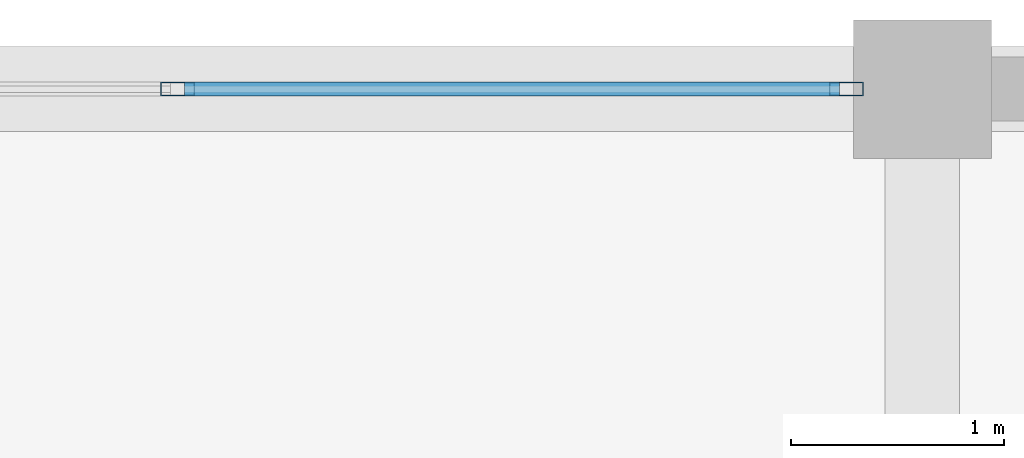
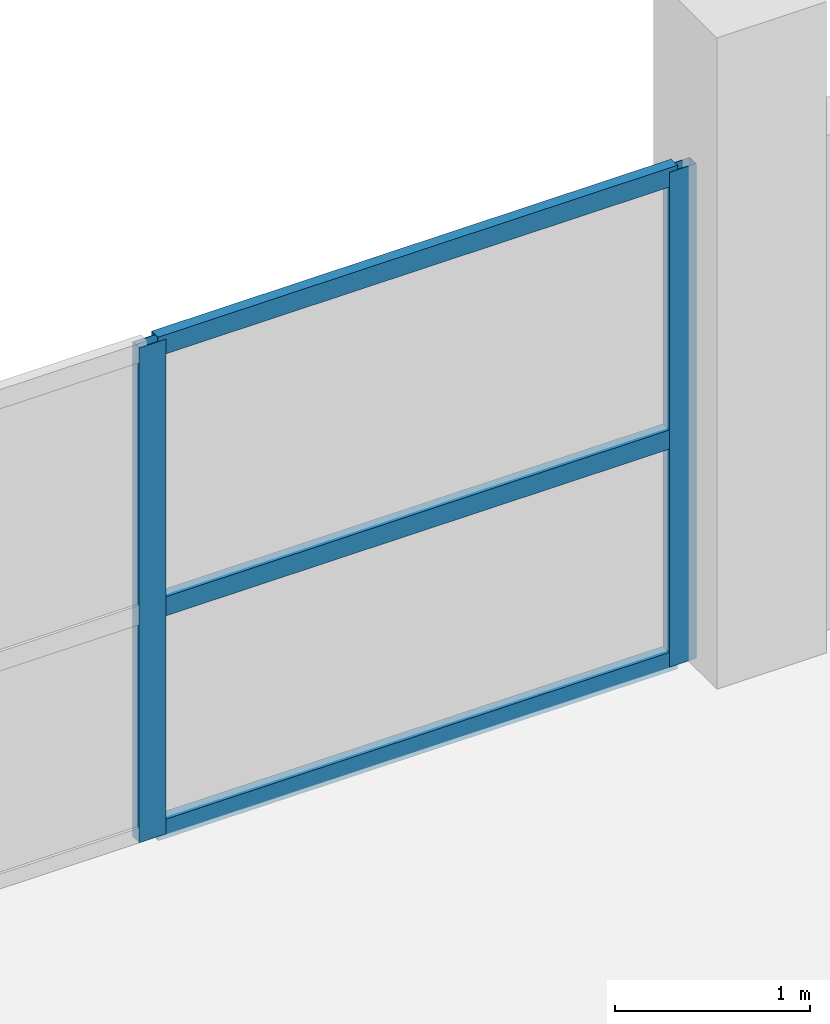
# One storey, part 46 of 66: 5 members, 1 element without a shape of its own.
"""IFC4 building model written with IfcOpenShell, lengths in metres."""

from ifc_helpers import new_model, si_unit, direction, frame, origin, origin_2d, place, context, subcontext, project, spatial, hollow_rectangle, extrude, material, layer, layer_set, material_profile, profile_set, type_object, element, aggregate, save


model = new_model("IFC4")

# Units and contexts
model_context = context("Model", 3, precision=1e-05, world=origin(), true_north=direction((0.0, 1.0)))
body_context = subcontext(model_context, "Body", "Model", "MODEL_VIEW")
ifc_project = project(units=[si_unit("LENGTHUNIT", "METRE"), si_unit("AREAUNIT", "SQUARE_METRE"), si_unit("VOLUMEUNIT", "CUBIC_METRE"), si_unit("PLANEANGLEUNIT", "RADIAN"), si_unit("MASSUNIT", "GRAM", prefix="KILO")], contexts=[model_context])

# Site, building, storey
site_placement = place(None, origin())
site = spatial("IfcSite", under=ifc_project, at=site_placement, CompositionType="ELEMENT")
building_placement = place(site_placement, origin())
building = spatial("IfcBuilding", under=site, at=building_placement, Name="Sillaruma Civic Art Gallery", CompositionType="ELEMENT")
storey_placement = place(building_placement, frame((0.0, 0.0, 62.219970703125)))
storey = spatial("IfcBuildingStorey", under=building, at=storey_placement, Name="L12", CompositionType="ELEMENT", Elevation=62.219970703125)

# Curtain wall, members
ifc_material = material(Name="Thermally Broken Extruded Aluminium 6063-T6", Category="aluminium")
ifc_layer = layer(ifc_material, 0.159912109375, Name="Thermally Broken Extruded Aluminium 6063-T6")
ifc_layer_set = layer_set([ifc_layer], Name="Thermally Broken Extruded Aluminium 6063-T6")
curtain_wall_type = type_object("IfcCurtainWallType", Name="CW-UNI-96", PredefinedType="NOTDEFINED", material=ifc_layer_set)
curtain_wall_placement = place(storey_placement, origin())
curtain_wall = element("IfcCurtainWall", 1, at=curtain_wall_placement, inside=storey, type_object=curtain_wall_type, Name="Unitised Curtain Wall CW-96 (CW-L12-WBN-3)", PredefinedType="NOTDEFINED")
ifc_material_profile_1 = material_profile(ifc_material, hollow_rectangle(XDim=0.06494140625, YDim=0.159912109375, WallThickness=0.00390625, at=origin_2d()), Name="CWM65x160")
ifc_profile_set_1 = profile_set([ifc_material_profile_1], Name="Thermally Broken Extruded Aluminium 6063-T6")
member_type_1 = type_object("IfcMemberType", Name="MEM-MUL-CWM65x160", PredefinedType="MULLION", material=ifc_profile_set_1)
member_1_placement = place(storey_placement, frame((80.5, 99.0, 0.0), z_axis=(0.0, 0.0, 1.0), x_axis=(0.0, 1.0, 0.0)))
member_1 = element("IfcMember", 2, at=member_1_placement, type_object=member_type_1, Name="CW-96 mullion 2", PredefinedType="MULLION", context=body_context, shape_type="SweptSolid", body=[
    extrude(hollow_rectangle(XDim=0.06494140625, YDim=0.159912109375, WallThickness=0.00390625, at=origin_2d()), origin(), (0.0, 0.0, 1.0), 3.10009765625),
])
member_2_placement = place(storey_placement, frame((83.642578125, 99.0, 0.0), z_axis=(0.0, 0.0, 1.0), x_axis=(0.0, 1.0, 0.0)))
member_2 = element("IfcMember", 3, at=member_2_placement, type_object=member_type_1, Name="CW-96 mullion 3", PredefinedType="MULLION", context=body_context, shape_type="SweptSolid", body=[
    extrude(hollow_rectangle(XDim=0.06494140625, YDim=0.159912109375, WallThickness=0.00390625, at=origin_2d()), origin(), (0.0, 0.0, 1.0), 3.10009765625),
])
ifc_material_profile_2 = material_profile(ifc_material, hollow_rectangle(XDim=0.06494140625, YDim=0.1201171875, WallThickness=0.00341796875, at=origin_2d()), Name="CWT65x120")
ifc_profile_set_2 = profile_set([ifc_material_profile_2], Name="Thermally Broken Extruded Aluminium 6063-T6")
member_type_2 = type_object("IfcMemberType", Name="MEM-TRN-CWT65x120", PredefinedType="USERDEFINED", material=ifc_profile_set_2)
member_3_placement = place(storey_placement, frame((80.532470703125, 99.0, 0.032470703125), z_axis=(1.0, 0.0, 0.0), x_axis=(0.0, 1.0, 0.0)))
member_3 = element("IfcMember", 4, at=member_3_placement, type_object=member_type_2, Name="CW-96 transom 2.1", ObjectType="TRANSOM", PredefinedType="USERDEFINED", context=body_context, shape_type="SweptSolid", body=[
    extrude(hollow_rectangle(XDim=0.06494140625, YDim=0.1201171875, WallThickness=0.00341796875, at=origin_2d()), origin(), (0.0, 0.0, 1.0), 3.07763671875),
])
member_4_placement = place(storey_placement, frame((80.532470703125, 99.0, 1.426025390625), z_axis=(1.0, 0.0, 0.0), x_axis=(0.0, 1.0, 0.0)))
member_4 = element("IfcMember", 5, at=member_4_placement, type_object=member_type_2, Name="CW-96 transom 2.2", ObjectType="TRANSOM", PredefinedType="USERDEFINED", context=body_context, shape_type="SweptSolid", body=[
    extrude(hollow_rectangle(XDim=0.06494140625, YDim=0.1201171875, WallThickness=0.00341796875, at=origin_2d()), origin(), (0.0, 0.0, 1.0), 3.07763671875),
])
member_5_placement = place(storey_placement, frame((80.532470703125, 99.0, 3.067626953125), z_axis=(1.0, 0.0, 0.0), x_axis=(0.0, 1.0, 0.0)))
member_5 = element("IfcMember", 6, at=member_5_placement, type_object=member_type_2, Name="CW-96 transom 2.3", ObjectType="TRANSOM", PredefinedType="USERDEFINED", context=body_context, shape_type="SweptSolid", body=[
    extrude(hollow_rectangle(XDim=0.06494140625, YDim=0.1201171875, WallThickness=0.00341796875, at=origin_2d()), origin(), (0.0, 0.0, 1.0), 3.07763671875),
])
aggregate(curtain_wall, [member_1, member_2, member_3, member_4, member_5])

save(model, "model.ifc")
